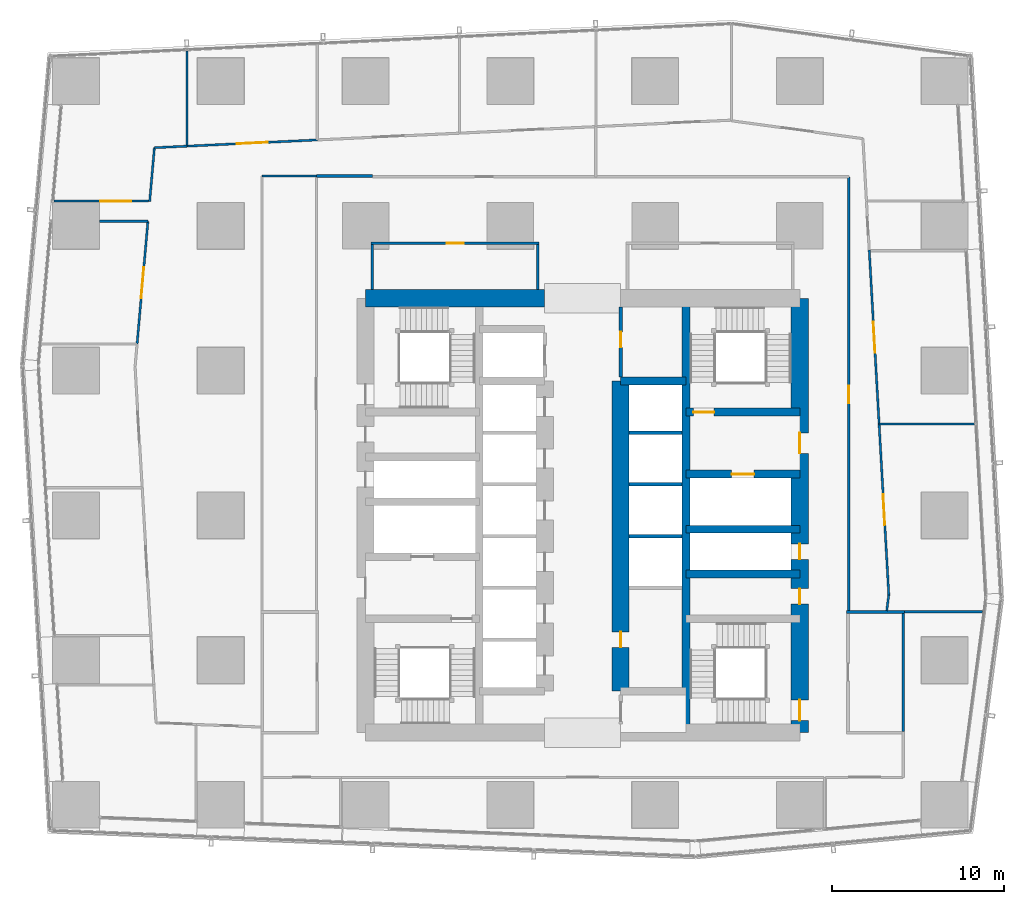
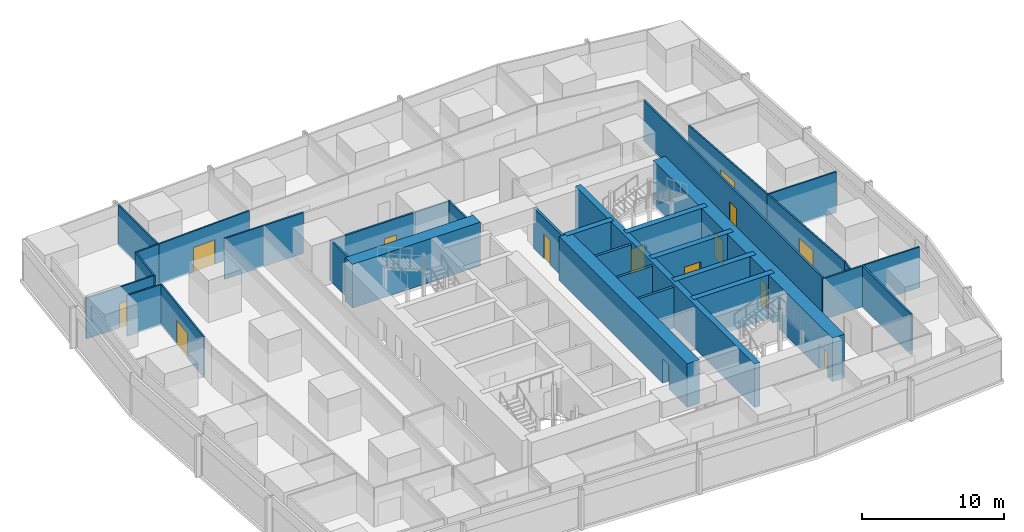
# One storey, part 26 of 36: 33 walls, 15 doors, 15 openings.
"""IFC4 building model written with IfcOpenShell, lengths in metres."""

from ifc_helpers import new_model, si_unit, direction, frame, frame_2d, origin, place, context, subcontext, project, spatial, rectangle, extrude, material, layer, layer_set, type_object, element, fill, save


model = new_model("IFC4")

# Units and contexts
model_context = context("Model", 3, precision=1e-05, world=origin(), true_north=direction((0.0, 1.0)))
body_context = subcontext(model_context, "Body", "Model", "MODEL_VIEW")
ifc_project = project(units=[si_unit("LENGTHUNIT", "METRE"), si_unit("AREAUNIT", "SQUARE_METRE"), si_unit("VOLUMEUNIT", "CUBIC_METRE"), si_unit("PLANEANGLEUNIT", "RADIAN"), si_unit("MASSUNIT", "GRAM", prefix="KILO")], contexts=[model_context])

# Site, building, storey
site_placement = place(None, origin())
site = spatial("IfcSite", under=ifc_project, at=site_placement, CompositionType="ELEMENT")
building_placement = place(site_placement, origin())
building = spatial("IfcBuilding", under=site, at=building_placement, Name="Rekha Terrace Tower", CompositionType="ELEMENT")
storey_placement = place(building_placement, frame((0.0, 0.0, 172.699951171875)))
storey = spatial("IfcBuildingStorey", under=building, at=storey_placement, Name="L43", CompositionType="ELEMENT", Elevation=172.699951171875)

# Walls
ifc_material_1 = material(Name="Concrete M60", Category="concrete")
ifc_layer_1 = layer(ifc_material_1, 0.449951171875)
ifc_layer_set_1 = layer_set([ifc_layer_1], Name="Concrete M60")
wall_type_1 = type_object("IfcWallType", Name="CI3 450 core internal shear wall", PredefinedType="SHEAR", material=ifc_layer_set_1)
wall_1_placement = place(storey_placement, frame((43.800048828125, 21.0, 0.0), z_axis=(0.0, 0.0, 1.0), x_axis=(0.0, 1.0, 0.0)))
element("IfcWall", 1, at=wall_1_placement, inside=storey, type_object=wall_type_1, Name="Core wall X438 L43", PredefinedType="SHEAR", context=body_context, shape_type="SweptSolid", body=[
    extrude(rectangle(XDim=25.199951171875, YDim=0.449951171875, at=frame_2d((12.60009765625, 0.0))), origin(), (0.0, 0.0, 1.0), 3.75),
])
wall_2_placement = place(storey_placement, frame((40.0, 41.39990234375, 0.0), z_axis=(0.0, 0.0, 1.0), x_axis=(1.0, 0.0, 0.0)))
element("IfcWall", 2, at=wall_2_placement, inside=storey, type_object=wall_type_1, Name="Core wall Y414E L43", PredefinedType="SHEAR", context=body_context, shape_type="SweptSolid", body=[
    extrude(rectangle(XDim=3.800048828125, YDim=0.449951171875, at=frame_2d((1.89990234375, 0.0))), origin(), (0.0, 0.0, 1.0), 3.75),
])
for number, where, z_axis, x_axis, name in (
    (3, (43.800048828125, 30.199951171875, 0.0), (0.0, 0.0, 1.0), (1.0, 0.0, 0.0), "Core wall Y302E L43"),
    (4, (43.800048828125, 32.800048828125, 0.0), (0.0, 0.0, 1.0), (1.0, 0.0, 0.0), "Core wall Y328E L43"),
):
    element("IfcWall", number, at=place(storey_placement, frame(where, z_axis=z_axis, x_axis=x_axis)), inside=storey, type_object=wall_type_1, Name=name, PredefinedType="SHEAR", context=body_context, shape_type="SweptSolid", body=[
        extrude(rectangle(XDim=6.599853515625, YDim=0.449951171875, at=frame_2d((3.2998046875, 0.0))), origin(), (0.0, 0.0, 1.0), 3.75),
    ])

# Wall, opening, door
wall_3_placement = place(storey_placement, frame((43.800048828125, 36.0, 0.0), z_axis=(0.0, 0.0, 1.0), x_axis=(1.0, 0.0, 0.0)))
wall_3 = element("IfcWall", 5, at=wall_3_placement, inside=storey, type_object=wall_type_1, Name="Core wall Y360E L43", PredefinedType="SHEAR", context=body_context, shape_type="SweptSolid", body=[
    extrude(rectangle(XDim=6.599853515625, YDim=0.449951171875, at=frame_2d((3.2998046875, 0.0))), origin(), (0.0, 0.0, 1.0), 3.75),
])
opening_1_placement = place(wall_3_placement, frame((2.64990234375, 0.0, 0.0)))
opening_1 = element("IfcOpeningElement", 6, at=opening_1_placement, cuts=wall_3, Name="Opening LD2", PredefinedType="OPENING", context=body_context, shape_type="SweptSolid", body=[
    extrude(rectangle(XDim=1.300048828125, YDim=2.10009765625, at=frame_2d((0.64990234375, 1.050048828125))), frame((0.0, 0.23486328125, 0.0), z_axis=(0.0, -1.0, 0.0), x_axis=(1.0, 0.0, 0.0)), (0.0, 0.0, 1.0), 0.469970703125),
])
ifc_material_2 = material(Name="Stainless steel sliding landing door", Category="steel")
door_type_1 = type_object("IfcDoorType", Name="LD2 1300x2100 fire lift landing door", OperationType="SLIDING_TO_LEFT", PredefinedType="USERDEFINED", material=ifc_material_2)
door_1_placement = place(opening_1_placement, origin())
door_1 = element("IfcDoor", 7, at=door_1_placement, inside=storey, type_object=door_type_1, Name="Lift FL2 landing door L43", ObjectType="LIFT LANDING DOOR", OperationType="SLIDING_TO_LEFT", OverallHeight=2.10009765625, OverallWidth=1.300048828125, PredefinedType="USERDEFINED", context=body_context, shape_type="SweptSolid", body=[
    extrude(rectangle(XDim=1.300048828125, YDim=2.10009765625, at=frame_2d((0.64990234375, 1.050048828125))), frame((0.0, 0.02490234375, 0.0), z_axis=(0.0, -1.0, 0.0), x_axis=(1.0, 0.0, 0.0)), (0.0, 0.0, 1.0), 0.050048828125),
])
fill(opening_1, door_1)

wall_4_placement = place(storey_placement, frame((43.800048828125, 39.60009765625, 0.0), z_axis=(0.0, 0.0, 1.0), x_axis=(1.0, 0.0, 0.0)))
wall_4 = element("IfcWall", 8, at=wall_4_placement, inside=storey, type_object=wall_type_1, Name="Core wall Y396E L43", PredefinedType="SHEAR", context=body_context, shape_type="SweptSolid", body=[
    extrude(rectangle(XDim=6.599853515625, YDim=0.449951171875, at=frame_2d((3.2998046875, 0.0))), origin(), (0.0, 0.0, 1.0), 3.75),
])
opening_2_placement = place(wall_4_placement, frame((0.425048828125, 0.0, 0.0)))
opening_2 = element("IfcOpeningElement", 9, at=opening_2_placement, cuts=wall_4, Name="Opening D1", PredefinedType="OPENING", context=body_context, shape_type="SweptSolid", body=[
    extrude(rectangle(XDim=1.199951171875, YDim=2.10009765625, at=frame_2d((0.60009765625, 1.050048828125))), frame((0.0, 0.23486328125, 0.0), z_axis=(0.0, -1.0, 0.0), x_axis=(1.0, 0.0, 0.0)), (0.0, 0.0, 1.0), 0.469970703125),
])
ifc_material_3 = material(Name="Steel fire door", Category="steel")
door_type_2 = type_object("IfcDoorType", Name="D1 1200x2100 stair fire door", OperationType="SINGLE_SWING_RIGHT", PredefinedType="DOOR", material=ifc_material_3)
door_2_placement = place(opening_2_placement, origin())
door_2 = element("IfcDoor", 10, at=door_2_placement, inside=storey, type_object=door_type_2, Name="Stair ST2 door L43", OperationType="SINGLE_SWING_RIGHT", OverallHeight=2.10009765625, OverallWidth=1.199951171875, PredefinedType="DOOR", context=body_context, shape_type="SweptSolid", body=[
    extrude(rectangle(XDim=1.199951171875, YDim=2.10009765625, at=frame_2d((0.60009765625, 1.050048828125))), frame((0.0, 0.02490234375, 0.0), z_axis=(0.0, -1.0, 0.0), x_axis=(1.0, 0.0, 0.0)), (0.0, 0.0, 1.0), 0.050048828125),
])
fill(opening_2, door_2)

ifc_layer_2 = layer(ifc_material_1, 1.0)
ifc_layer_set_2 = layer_set([ifc_layer_2], Name="Concrete M60")
wall_type_2 = type_object("IfcWallType", Name="LW3 1000 core lobby wall at an outrigger level", PredefinedType="SHEAR", material=ifc_layer_set_2)
wall_5_placement = place(storey_placement, frame((40.0, 23.39990234375, 0.0), z_axis=(0.0, 0.0, 1.0), x_axis=(0.0, 1.0, 0.0)))
wall_5 = element("IfcWall", 11, at=wall_5_placement, inside=storey, type_object=wall_type_2, Name="Core wall X400 L43", PredefinedType="SHEAR", context=body_context, shape_type="SweptSolid", body=[
    extrude(rectangle(XDim=18.0, YDim=1.0, at=frame_2d((9.0, 0.0))), origin(), (0.0, 0.0, 1.0), 3.75),
])
opening_3_placement = place(wall_5_placement, frame((2.550048828125, 0.0, 0.0)))
opening_3 = element("IfcOpeningElement", 12, at=opening_3_placement, cuts=wall_5, Name="Opening D5", PredefinedType="OPENING", context=body_context, shape_type="SweptSolid", body=[
    extrude(rectangle(XDim=0.89990234375, YDim=2.10009765625, at=frame_2d((0.449951171875, 1.050048828125))), frame((0.0, 0.510009765625, 0.0), z_axis=(0.0, -1.0, 0.0), x_axis=(1.0, 0.0, 0.0)), (0.0, 0.0, 1.0), 1.02001953125),
])
door_type_3 = type_object("IfcDoorType", Name="D5 900x2100 riser access door", OperationType="SINGLE_SWING_LEFT", PredefinedType="DOOR", material=ifc_material_3)
door_3_placement = place(opening_3_placement, origin())
door_3 = element("IfcDoor", 13, at=door_3_placement, inside=storey, type_object=door_type_3, Name="Door back-of-house store L43", OperationType="SINGLE_SWING_LEFT", OverallHeight=2.10009765625, OverallWidth=0.89990234375, PredefinedType="DOOR", context=body_context, shape_type="SweptSolid", body=[
    extrude(rectangle(XDim=0.89990234375, YDim=2.10009765625, at=frame_2d((0.449951171875, 1.050048828125))), frame((0.0, 0.02490234375, 0.0), z_axis=(0.0, -1.0, 0.0), x_axis=(1.0, 0.0, 0.0)), (0.0, 0.0, 1.0), 0.050048828125),
])
fill(opening_3, door_3)

# Wall
ifc_layer_3 = layer(ifc_material_1, 1.0)
ifc_layer_set_3 = layer_set([ifc_layer_3], Name="Concrete M60")
wall_type_3 = type_object("IfcWallType", Name="SW3 1000 core outer shear wall", PredefinedType="SHEAR", material=ifc_layer_set_3)
wall_6_placement = place(storey_placement, frame((25.199951171875, 46.199951171875, 0.0), z_axis=(0.0, 0.0, 1.0), x_axis=(1.0, 0.0, 0.0)))
element("IfcWall", 14, at=wall_6_placement, inside=storey, type_object=wall_type_3, Name="Core wall N1 L43", PredefinedType="SHEAR", context=body_context, shape_type="SweptSolid", body=[
    extrude(rectangle(XDim=10.400146484375, YDim=1.0, at=frame_2d((5.2001953125, 0.0))), origin(), (0.0, 0.0, 1.0), 3.75),
])

# Wall, openings, doors
wall_7_placement = place(storey_placement, frame((50.39990234375, 21.0, 0.0), z_axis=(0.0, 0.0, 1.0), x_axis=(0.0, 1.0, 0.0)))
wall_7 = element("IfcWall", 15, at=wall_7_placement, inside=storey, type_object=wall_type_3, Name="Core wall E L43", PredefinedType="SHEAR", context=body_context, shape_type="SweptSolid", body=[
    extrude(rectangle(XDim=25.199951171875, YDim=1.0, at=frame_2d((12.60009765625, 0.0))), origin(), (0.0, 0.0, 1.0), 3.75),
])
opening_4_placement = place(wall_7_placement, frame((16.199951171875, 0.0, 0.0)))
opening_4 = element("IfcOpeningElement", 16, at=opening_4_placement, cuts=wall_7, Name="Opening D2", PredefinedType="OPENING", context=body_context, shape_type="SweptSolid", body=[
    extrude(rectangle(XDim=1.199951171875, YDim=2.10009765625, at=frame_2d((0.60009765625, 1.050048828125))), frame((0.0, 0.510009765625, 0.0), z_axis=(0.0, -1.0, 0.0), x_axis=(1.0, 0.0, 0.0)), (0.0, 0.0, 1.0), 1.02001953125),
])
opening_5_placement = place(wall_7_placement, frame((10.050048828125, 0.0, 0.0)))
opening_5 = element("IfcOpeningElement", 17, at=opening_5_placement, cuts=wall_7, Name="Opening D5", PredefinedType="OPENING", context=body_context, shape_type="SweptSolid", body=[
    extrude(rectangle(XDim=0.89990234375, YDim=2.10009765625, at=frame_2d((0.449951171875, 1.050048828125))), frame((0.0, 0.510009765625, 0.0), z_axis=(0.0, -1.0, 0.0), x_axis=(1.0, 0.0, 0.0)), (0.0, 0.0, 1.0), 1.02001953125),
])
opening_6_placement = place(wall_7_placement, frame((7.449951171875, 0.0, 0.0)))
opening_6 = element("IfcOpeningElement", 18, at=opening_6_placement, cuts=wall_7, Name="Opening D5", PredefinedType="OPENING", context=body_context, shape_type="SweptSolid", body=[
    extrude(rectangle(XDim=0.89990234375, YDim=2.10009765625, at=frame_2d((0.449951171875, 1.050048828125))), frame((0.0, 0.510009765625, 0.0), z_axis=(0.0, -1.0, 0.0), x_axis=(1.0, 0.0, 0.0)), (0.0, 0.0, 1.0), 1.02001953125),
])
opening_7_placement = place(wall_7_placement, frame((0.699951171875, 0.0, 0.0)))
opening_7 = element("IfcOpeningElement", 19, at=opening_7_placement, cuts=wall_7, Name="Opening D1", PredefinedType="OPENING", context=body_context, shape_type="SweptSolid", body=[
    extrude(rectangle(XDim=1.199951171875, YDim=2.10009765625, at=frame_2d((0.60009765625, 1.050048828125))), frame((0.0, 0.510009765625, 0.0), z_axis=(0.0, -1.0, 0.0), x_axis=(1.0, 0.0, 0.0)), (0.0, 0.0, 1.0), 1.02001953125),
])
door_4_placement = place(opening_7_placement, origin())
door_4 = element("IfcDoor", 20, at=door_4_placement, inside=storey, type_object=door_type_2, Name="Stair ST3 door L43", OperationType="SINGLE_SWING_RIGHT", OverallHeight=2.10009765625, OverallWidth=1.199951171875, PredefinedType="DOOR", context=body_context, shape_type="SweptSolid", body=[
    extrude(rectangle(XDim=1.199951171875, YDim=2.10009765625, at=frame_2d((0.60009765625, 1.050048828125))), frame((0.0, 0.02490234375, 0.0), z_axis=(0.0, -1.0, 0.0), x_axis=(1.0, 0.0, 0.0)), (0.0, 0.0, 1.0), 0.050048828125),
])
fill(opening_7, door_4)
door_type_4 = type_object("IfcDoorType", Name="D2 1200x2100 firefighting lobby door", OperationType="SINGLE_SWING_LEFT", PredefinedType="DOOR", material=ifc_material_3)
door_5_placement = place(opening_4_placement, origin())
door_5 = element("IfcDoor", 21, at=door_5_placement, inside=storey, type_object=door_type_4, Name="Door flb2 L43", OperationType="SINGLE_SWING_LEFT", OverallHeight=2.10009765625, OverallWidth=1.199951171875, PredefinedType="DOOR", context=body_context, shape_type="SweptSolid", body=[
    extrude(rectangle(XDim=1.199951171875, YDim=2.10009765625, at=frame_2d((0.60009765625, 1.050048828125))), frame((0.0, 0.02490234375, 0.0), z_axis=(0.0, -1.0, 0.0), x_axis=(1.0, 0.0, 0.0)), (0.0, 0.0, 1.0), 0.050048828125),
])
fill(opening_4, door_5)
door_6_placement = place(opening_5_placement, origin())
door_6 = element("IfcDoor", 22, at=door_6_placement, inside=storey, type_object=door_type_3, Name="Door rs2 L43", OperationType="SINGLE_SWING_LEFT", OverallHeight=2.10009765625, OverallWidth=0.89990234375, PredefinedType="DOOR", context=body_context, shape_type="SweptSolid", body=[
    extrude(rectangle(XDim=0.89990234375, YDim=2.10009765625, at=frame_2d((0.449951171875, 1.050048828125))), frame((0.0, 0.02490234375, 0.0), z_axis=(0.0, -1.0, 0.0), x_axis=(1.0, 0.0, 0.0)), (0.0, 0.0, 1.0), 0.050048828125),
])
fill(opening_5, door_6)
door_7_placement = place(opening_6_placement, origin())
door_7 = element("IfcDoor", 23, at=door_7_placement, inside=storey, type_object=door_type_3, Name="Door ele L43", OperationType="SINGLE_SWING_LEFT", OverallHeight=2.10009765625, OverallWidth=0.89990234375, PredefinedType="DOOR", context=body_context, shape_type="SweptSolid", body=[
    extrude(rectangle(XDim=0.89990234375, YDim=2.10009765625, at=frame_2d((0.449951171875, 1.050048828125))), frame((0.0, 0.02490234375, 0.0), z_axis=(0.0, -1.0, 0.0), x_axis=(1.0, 0.0, 0.0)), (0.0, 0.0, 1.0), 0.050048828125),
])
fill(opening_6, door_7)

# Wall, opening, door
ifc_material_4 = material(Name="Concrete block masonry, 1 hour", Category="masonry")
ifc_layer_4 = layer(ifc_material_4, 0.14990234375)
ifc_layer_set_4 = layer_set([ifc_layer_4], Name="Concrete block masonry, 1 hour")
wall_type_4 = type_object("IfcWallType", Name="WP2 150 tenancy partition", PredefinedType="PARTITIONING", material=ifc_layer_set_4)
wall_8_placement = place(storey_placement, frame((25.52490234375, 49.39990234375, 0.0), z_axis=(0.0, 0.0, 1.0), x_axis=(1.0, 0.0, 0.0)))
wall_8 = element("IfcWall", 24, at=wall_8_placement, inside=storey, type_object=wall_type_4, Name="Women's WC wall L43", PredefinedType="PARTITIONING", context=body_context, shape_type="SweptSolid", body=[
    extrude(rectangle(XDim=9.75, YDim=0.14990234375, at=frame_2d((4.875, 0.0))), origin(), (0.0, 0.0, 1.0), 3.5),
])
opening_8_placement = place(wall_8_placement, frame((4.375, 0.0, 0.0)))
opening_8 = element("IfcOpeningElement", 25, at=opening_8_placement, cuts=wall_8, Name="Opening D3", PredefinedType="OPENING", context=body_context, shape_type="SweptSolid", body=[
    extrude(rectangle(XDim=1.0, YDim=2.10009765625, at=frame_2d((0.5, 1.050048828125))), frame((0.0, 0.0849609375, 0.0), z_axis=(0.0, -1.0, 0.0), x_axis=(1.0, 0.0, 0.0)), (0.0, 0.0, 1.0), 0.169921875),
])
ifc_material_5 = material(Name="Laminated timber fire door", Category="wood")
door_type_5 = type_object("IfcDoorType", Name="D3 1000x2100 WC door", OperationType="SINGLE_SWING_LEFT", PredefinedType="DOOR", material=ifc_material_5)
door_8_placement = place(opening_8_placement, origin())
door_8 = element("IfcDoor", 26, at=door_8_placement, inside=storey, type_object=door_type_5, Name="Door women's wc L43", OperationType="SINGLE_SWING_LEFT", OverallHeight=2.10009765625, OverallWidth=1.0, PredefinedType="DOOR", context=body_context, shape_type="SweptSolid", body=[
    extrude(rectangle(XDim=1.0, YDim=2.10009765625, at=frame_2d((0.5, 1.050048828125))), frame((0.0, 0.02490234375, 0.0), z_axis=(0.0, -1.0, 0.0), x_axis=(1.0, 0.0, 0.0)), (0.0, 0.0, 1.0), 0.050048828125),
])
fill(opening_8, door_8)

# Walls
for number, where, z_axis, x_axis, name in (
    (27, (25.60009765625, 46.699951171875, 0.0), (0.0, 0.0, 1.0), (0.0, 1.0, 0.0), "Women's WC wall L43"),
    (28, (35.199951171875, 46.699951171875, 0.0), (0.0, 0.0, 1.0), (0.0, 1.0, 0.0), "Women's WC wall L43"),
):
    element("IfcWall", number, at=place(storey_placement, frame(where, z_axis=z_axis, x_axis=x_axis)), inside=storey, type_object=wall_type_4, Name=name, PredefinedType="PARTITIONING", context=body_context, shape_type="SweptSolid", body=[
        extrude(rectangle(XDim=2.625, YDim=0.14990234375, at=frame_2d((1.3125, 0.0))), origin(), (0.0, 0.0, 1.0), 3.5),
    ])
wall_9_placement = place(storey_placement, frame((53.125, 28.0, 0.0), z_axis=(0.0, 0.0, 1.0), x_axis=(1.0, 0.0, 0.0)))
element("IfcWall", 29, at=wall_9_placement, inside=storey, type_object=wall_type_4, Name="Men's WC wall L43", PredefinedType="PARTITIONING", context=body_context, shape_type="SweptSolid", body=[
    extrude(rectangle(XDim=3.35009765625, YDim=0.14990234375, at=frame_2d((1.675048828125, 0.0))), origin(), (0.0, 0.0, 1.0), 3.5),
])
wall_10_placement = place(storey_placement, frame((56.39990234375, 21.074951171875, 0.0), z_axis=(0.0, 0.0, 1.0), x_axis=(0.0, 1.0, 0.0)))
element("IfcWall", 30, at=wall_10_placement, inside=storey, type_object=wall_type_4, Name="Men's WC wall L43", PredefinedType="PARTITIONING", context=body_context, shape_type="SweptSolid", body=[
    extrude(rectangle(XDim=6.85009765625, YDim=0.14990234375, at=frame_2d((3.425048828125, 0.0))), origin(), (0.0, 0.0, 1.0), 3.5),
])

# Wall, opening, door
wall_11_placement = place(storey_placement, frame((53.25, 28.074951171875, 0.0), z_axis=(0.0, 0.0, 1.0), x_axis=(0.0, 1.0, 0.0)))
wall_11 = element("IfcWall", 31, at=wall_11_placement, inside=storey, type_object=wall_type_4, Name="Partition L43-O1", PredefinedType="PARTITIONING", context=body_context, shape_type="SweptSolid", body=[
    extrude(rectangle(XDim=25.175048828125, YDim=0.14990234375, at=frame_2d((12.58740234375, 0.0))), origin(), (0.0, 0.0, 1.0), 3.5),
])
opening_9_placement = place(wall_11_placement, frame((12.050048828125, 0.0, 0.0)))
opening_9 = element("IfcOpeningElement", 32, at=opening_9_placement, cuts=wall_11, Name="Opening D9", PredefinedType="OPENING", context=body_context, shape_type="SweptSolid", body=[
    extrude(rectangle(XDim=1.0, YDim=2.10009765625, at=frame_2d((0.5, 1.050048828125))), frame((0.0, 0.0849609375, 0.0), z_axis=(0.0, -1.0, 0.0), x_axis=(1.0, 0.0, 0.0)), (0.0, 0.0, 1.0), 0.169921875),
])
ifc_material_6 = material(Name="Timber fire door", Category="wood")
door_type_6 = type_object("IfcDoorType", Name="D9 1000x2100 office door", OperationType="SINGLE_SWING_LEFT", PredefinedType="DOOR", material=ifc_material_6)
door_9_placement = place(opening_9_placement, origin())
door_9 = element("IfcDoor", 33, at=door_9_placement, inside=storey, type_object=door_type_6, Name="Door open-plan office L43", OperationType="SINGLE_SWING_LEFT", OverallHeight=2.10009765625, OverallWidth=1.0, PredefinedType="DOOR", context=body_context, shape_type="SweptSolid", body=[
    extrude(rectangle(XDim=1.0, YDim=2.10009765625, at=frame_2d((0.5, 1.050048828125))), frame((0.0, 0.02490234375, 0.0), z_axis=(0.0, -1.0, 0.0), x_axis=(1.0, 0.0, 0.0)), (0.0, 0.0, 1.0), 0.050048828125),
])
fill(opening_9, door_9)

# Walls
wall_12_placement = place(storey_placement, frame((25.60009765625, 53.300048828125, 0.0), z_axis=(0.0, 0.0, 1.0), x_axis=(-1.0, 0.0, 0.0)))
element("IfcWall", 34, at=wall_12_placement, inside=storey, type_object=wall_type_4, Name="Partition L43-O1b", PredefinedType="PARTITIONING", context=body_context, shape_type="SweptSolid", body=[
    extrude(rectangle(XDim=3.25, YDim=0.14990234375, at=frame_2d((1.625, 0.0))), origin(), (0.0, 0.0, 1.0), 3.5),
])
ifc_material_7 = material(Name="Two layers of fire-rated gypsum board each side on steel studs, acoustic quilt, 1 hour", Category="steel")
ifc_layer_5 = layer(ifc_material_7, 0.125)
ifc_layer_set_5 = layer_set([ifc_layer_5], Name="Two layers of fire-rated gypsum board each side on steel studs, acoustic quilt, 1 hour")
wall_type_5 = type_object("IfcWallType", Name="WP3 125 office partition", PredefinedType="PARTITIONING", material=ifc_layer_set_5)
wall_13_placement = place(storey_placement, frame((56.47607421875, 28.012939453125, 0.0), z_axis=(0.0, 0.0, 1.0), x_axis=(1.0, 0.0, 0.0)))
element("IfcWall", 35, at=wall_13_placement, inside=storey, type_object=wall_type_5, Name="Partition L43-03", PredefinedType="PARTITIONING", context=body_context, shape_type="SweptSolid", body=[
    extrude(rectangle(XDim=4.52783203125, YDim=0.125, at=frame_2d((2.263916015625, 0.0))), origin(), (0.0, 0.0, 1.0), 3.5),
])
wall_14_placement = place(storey_placement, frame((55.0029296875, 38.902099609375, 0.0), z_axis=(0.0, 0.0, 1.0), x_axis=(1.0, 0.0, 0.0)))
element("IfcWall", 36, at=wall_14_placement, inside=storey, type_object=wall_type_5, Name="Partition L43-04", PredefinedType="PARTITIONING", context=body_context, shape_type="SweptSolid", body=[
    extrude(rectangle(XDim=5.528076171875, YDim=0.125, at=frame_2d((2.76416015625, 0.0))), origin(), (0.0, 0.0, 1.0), 3.5),
])
wall_15_placement = place(storey_placement, frame((55.444091796875, 28.074951171875, 0.0), z_axis=(0.0, 0.0, 1.0), x_axis=(0.130796265387, 0.991409268144, 0.0)))
element("IfcWall", 37, at=wall_15_placement, inside=storey, type_object=wall_type_5, Name="Partition L43-04", PredefinedType="PARTITIONING", context=body_context, shape_type="SweptSolid", body=[
    extrude(rectangle(XDim=0.924072265625, YDim=0.125, at=frame_2d((0.4619140625, 0.0))), origin(), (0.0, 0.0, 1.0), 3.5),
])

# Wall, opening, door
wall_16_placement = place(storey_placement, frame((55.56494140625, 28.990966796875, 0.0), z_axis=(0.0, 0.0, 1.0), x_axis=(-0.056614146669, 0.998396133004, 0.0)))
wall_16 = element("IfcWall", 38, at=wall_16_placement, inside=storey, type_object=wall_type_5, Name="Partition L43-04", PredefinedType="PARTITIONING", context=body_context, shape_type="SweptSolid", body=[
    extrude(rectangle(XDim=9.927001953125, YDim=0.125, at=frame_2d((4.96337890625, 0.0))), origin(), (0.0, 0.0, 1.0), 3.5),
])
opening_10_placement = place(wall_16_placement, frame((4.06298828125, 0.0, 0.0)))
opening_10 = element("IfcOpeningElement", 39, at=opening_10_placement, cuts=wall_16, Name="Opening D8", PredefinedType="OPENING", context=body_context, shape_type="SweptSolid", body=[
    extrude(rectangle(XDim=1.800048828125, YDim=2.10009765625, at=frame_2d((0.89990234375, 1.050048828125))), frame((0.0, 0.072509765625, 0.0), z_axis=(0.0, -1.0, 0.0), x_axis=(1.0, 0.0, 0.0)), (0.0, 0.0, 1.0), 0.14501953125),
])
door_type_7 = type_object("IfcDoorType", Name="D8 1800x2100 double leaf door", OperationType="DOUBLE_DOOR_SINGLE_SWING", PredefinedType="DOOR", material=ifc_material_6)
door_10_placement = place(opening_10_placement, origin())
door_10 = element("IfcDoor", 40, at=door_10_placement, inside=storey, type_object=door_type_7, Name="Door club lounge L43", OperationType="DOUBLE_DOOR_SINGLE_SWING", OverallHeight=2.10009765625, OverallWidth=1.800048828125, PredefinedType="DOOR", context=body_context, shape_type="SweptSolid", body=[
    extrude(rectangle(XDim=1.800048828125, YDim=2.10009765625, at=frame_2d((0.89990234375, 1.050048828125))), frame((0.0, 0.02490234375, 0.0), z_axis=(0.0, -1.0, 0.0), x_axis=(1.0, 0.0, 0.0)), (0.0, 0.0, 1.0), 0.050048828125),
])
fill(opening_10, door_10)

wall_17_placement = place(storey_placement, frame((55.0029296875, 38.903076171875, 0.0), z_axis=(0.0, 0.0, 1.0), x_axis=(-0.056703702353, 0.998391050711, 0.0)))
wall_17 = element("IfcWall", 41, at=wall_17_placement, inside=storey, type_object=wall_type_5, Name="Partition L43-05", PredefinedType="PARTITIONING", context=body_context, shape_type="SweptSolid", body=[
    extrude(rectangle(XDim=10.105224609375, YDim=0.125, at=frame_2d((5.052734375, 0.0))), origin(), (0.0, 0.0, 1.0), 3.5),
])
opening_11_placement = place(wall_17_placement, frame((4.153076171875, 0.0, 0.0)))
opening_11 = element("IfcOpeningElement", 42, at=opening_11_placement, cuts=wall_17, Name="Opening D8", PredefinedType="OPENING", context=body_context, shape_type="SweptSolid", body=[
    extrude(rectangle(XDim=1.800048828125, YDim=2.10009765625, at=frame_2d((0.89990234375, 1.050048828125))), frame((0.0, 0.072509765625, 0.0), z_axis=(0.0, -1.0, 0.0), x_axis=(1.0, 0.0, 0.0)), (0.0, 0.0, 1.0), 0.14501953125),
])
door_11_placement = place(opening_11_placement, origin())
door_11 = element("IfcDoor", 43, at=door_11_placement, inside=storey, type_object=door_type_7, Name="Door club lounge L43", OperationType="DOUBLE_DOOR_SINGLE_SWING", OverallHeight=2.10009765625, OverallWidth=1.800048828125, PredefinedType="DOOR", context=body_context, shape_type="SweptSolid", body=[
    extrude(rectangle(XDim=1.800048828125, YDim=2.10009765625, at=frame_2d((0.89990234375, 1.050048828125))), frame((0.0, 0.02490234375, 0.0), z_axis=(0.0, -1.0, 0.0), x_axis=(1.0, 0.0, 0.0)), (0.0, 0.0, 1.0), 0.050048828125),
])
fill(opening_11, door_11)

wall_18_placement = place(storey_placement, frame((22.39990234375, 55.39208984375, 0.0), z_axis=(0.0, 0.0, 1.0), x_axis=(-0.998854223515, -0.047856453768, 0.0)))
wall_18 = element("IfcWall", 44, at=wall_18_placement, inside=storey, type_object=wall_type_5, Name="Partition L43-11", PredefinedType="PARTITIONING", context=body_context, shape_type="SweptSolid", body=[
    extrude(rectangle(XDim=7.565673828125, YDim=0.125, at=frame_2d((3.78271484375, 0.0))), origin(), (0.0, 0.0, 1.0), 3.5),
])
opening_12_placement = place(wall_18_placement, frame((2.883056640625, 0.0, 0.0)))
opening_12 = element("IfcOpeningElement", 45, at=opening_12_placement, cuts=wall_18, Name="Opening D8", PredefinedType="OPENING", context=body_context, shape_type="SweptSolid", body=[
    extrude(rectangle(XDim=1.800048828125, YDim=2.10009765625, at=frame_2d((0.89990234375, 1.050048828125))), frame((0.0, 0.072509765625, 0.0), z_axis=(0.0, -1.0, 0.0), x_axis=(1.0, 0.0, 0.0)), (0.0, 0.0, 1.0), 0.14501953125),
])
door_12_placement = place(opening_12_placement, origin())
door_12 = element("IfcDoor", 46, at=door_12_placement, inside=storey, type_object=door_type_7, Name="Door club lounge L43", OperationType="DOUBLE_DOOR_SINGLE_SWING", OverallHeight=2.10009765625, OverallWidth=1.800048828125, PredefinedType="DOOR", context=body_context, shape_type="SweptSolid", body=[
    extrude(rectangle(XDim=1.800048828125, YDim=2.10009765625, at=frame_2d((0.89990234375, 1.050048828125))), frame((0.0, 0.02490234375, 0.0), z_axis=(0.0, -1.0, 0.0), x_axis=(1.0, 0.0, 0.0)), (0.0, 0.0, 1.0), 0.050048828125),
])
fill(opening_12, door_12)

# Wall
wall_19_placement = place(storey_placement, frame((14.843017578125, 55.030029296875, 0.0), z_axis=(0.0, 0.0, 1.0), x_axis=(0.0, 1.0, 0.0)))
element("IfcWall", 47, at=wall_19_placement, inside=storey, type_object=wall_type_5, Name="Partition L43-11", PredefinedType="PARTITIONING", context=body_context, shape_type="SweptSolid", body=[
    extrude(rectangle(XDim=5.52685546875, YDim=0.125, at=frame_2d((2.763427734375, 0.0))), origin(), (0.0, 0.0, 1.0), 3.5),
])

# Wall, opening, door
wall_20_placement = place(storey_placement, frame((12.613037109375, 51.843017578125, 0.0), z_axis=(0.0, 0.0, 1.0), x_axis=(-1.0, 0.0, 0.0)))
wall_20 = element("IfcWall", 48, at=wall_20_placement, inside=storey, type_object=wall_type_5, Name="Partition L43-12", PredefinedType="PARTITIONING", context=body_context, shape_type="SweptSolid", body=[
    extrude(rectangle(XDim=5.47802734375, YDim=0.125, at=frame_2d((2.739013671875, 0.0))), origin(), (0.0, 0.0, 1.0), 3.5),
])
opening_13_placement = place(wall_20_placement, frame((1.009033203125, 0.0, 0.0)))
opening_13 = element("IfcOpeningElement", 49, at=opening_13_placement, cuts=wall_20, Name="Opening D8", PredefinedType="OPENING", context=body_context, shape_type="SweptSolid", body=[
    extrude(rectangle(XDim=1.800048828125, YDim=2.10009765625, at=frame_2d((0.89990234375, 1.050048828125))), frame((0.0, 0.072509765625, 0.0), z_axis=(0.0, -1.0, 0.0), x_axis=(1.0, 0.0, 0.0)), (0.0, 0.0, 1.0), 0.14501953125),
])
door_13_placement = place(opening_13_placement, origin())
door_13 = element("IfcDoor", 50, at=door_13_placement, inside=storey, type_object=door_type_7, Name="Door club lounge L43", OperationType="DOUBLE_DOOR_SINGLE_SWING", OverallHeight=2.10009765625, OverallWidth=1.800048828125, PredefinedType="DOOR", context=body_context, shape_type="SweptSolid", body=[
    extrude(rectangle(XDim=1.800048828125, YDim=2.10009765625, at=frame_2d((0.89990234375, 1.050048828125))), frame((0.0, 0.02490234375, 0.0), z_axis=(0.0, -1.0, 0.0), x_axis=(1.0, 0.0, 0.0)), (0.0, 0.0, 1.0), 0.050048828125),
])
fill(opening_13, door_13)

# Walls
wall_21_placement = place(storey_placement, frame((14.842041015625, 55.030029296875, 0.0), z_axis=(0.0, 0.0, 1.0), x_axis=(-0.998868429304, -0.04755902586, 0.0)))
element("IfcWall", 51, at=wall_21_placement, inside=storey, type_object=wall_type_5, Name="Partition L43-12", PredefinedType="PARTITIONING", context=body_context, shape_type="SweptSolid", body=[
    extrude(rectangle(XDim=1.894287109375, YDim=0.125, at=frame_2d((0.947265625, 0.0))), origin(), (0.0, 0.0, 1.0), 3.5),
])
wall_22_placement = place(storey_placement, frame((12.949951171875, 54.93994140625, 0.0), z_axis=(0.0, 0.0, 1.0), x_axis=(-0.088138787715, -0.996108204012, 0.0)))
element("IfcWall", 52, at=wall_22_placement, inside=storey, type_object=wall_type_5, Name="Partition L43-12", PredefinedType="PARTITIONING", context=body_context, shape_type="SweptSolid", body=[
    extrude(rectangle(XDim=3.14111328125, YDim=0.125, at=frame_2d((1.570556640625, 0.0))), origin(), (0.0, 0.0, 1.0), 3.5),
])
wall_23_placement = place(storey_placement, frame((9.77001953125, 50.672119140625, 0.0), z_axis=(0.0, 0.0, 1.0), x_axis=(1.0, 0.0, 0.0)))
element("IfcWall", 53, at=wall_23_placement, inside=storey, type_object=wall_type_5, Name="Partition L43-13", PredefinedType="PARTITIONING", context=body_context, shape_type="SweptSolid", body=[
    extrude(rectangle(XDim=2.802978515625, YDim=0.125, at=frame_2d((1.4013671875, 0.0))), origin(), (0.0, 0.0, 1.0), 3.5),
])

# Wall, opening, door
wall_24_placement = place(storey_placement, frame((12.572998046875, 50.672119140625, 0.0), z_axis=(0.0, 0.0, 1.0), x_axis=(-0.087986371685, -0.99612167851, 0.0)))
wall_24 = element("IfcWall", 54, at=wall_24_placement, inside=storey, type_object=wall_type_5, Name="Partition L43-13", PredefinedType="PARTITIONING", context=body_context, shape_type="SweptSolid", body=[
    extrude(rectangle(XDim=7.158935546875, YDim=0.125, at=frame_2d((3.57958984375, 0.0))), origin(), (0.0, 0.0, 1.0), 3.5),
])
opening_14_placement = place(wall_24_placement, frame((2.678955078125, 0.0, 0.0)))
opening_14 = element("IfcOpeningElement", 55, at=opening_14_placement, cuts=wall_24, Name="Opening D8", PredefinedType="OPENING", context=body_context, shape_type="SweptSolid", body=[
    extrude(rectangle(XDim=1.800048828125, YDim=2.10009765625, at=frame_2d((0.89990234375, 1.050048828125))), frame((0.0, 0.072509765625, 0.0), z_axis=(0.0, -1.0, 0.0), x_axis=(1.0, 0.0, 0.0)), (0.0, 0.0, 1.0), 0.14501953125),
])
door_14_placement = place(opening_14_placement, origin())
door_14 = element("IfcDoor", 56, at=door_14_placement, inside=storey, type_object=door_type_7, Name="Door quiet room L43", OperationType="DOUBLE_DOOR_SINGLE_SWING", OverallHeight=2.10009765625, OverallWidth=1.800048828125, PredefinedType="DOOR", context=body_context, shape_type="SweptSolid", body=[
    extrude(rectangle(XDim=1.800048828125, YDim=2.10009765625, at=frame_2d((0.89990234375, 1.050048828125))), frame((0.0, 0.02490234375, 0.0), z_axis=(0.0, -1.0, 0.0), x_axis=(1.0, 0.0, 0.0)), (0.0, 0.0, 1.0), 0.050048828125),
])
fill(opening_14, door_14)

# Walls
wall_25_placement = place(storey_placement, frame((19.199951171875, 53.300048828125, 0.0), z_axis=(0.0, 0.0, 1.0), x_axis=(1.0, 0.0, 0.0)))
element("IfcWall", 57, at=wall_25_placement, inside=storey, type_object=wall_type_5, Name="Partition L43-20", PredefinedType="PARTITIONING", context=body_context, shape_type="SweptSolid", body=[
    extrude(rectangle(XDim=3.150146484375, YDim=0.125, at=frame_2d((1.5751953125, 0.0))), origin(), (0.0, 0.0, 1.0), 3.5),
])
ifc_material_8 = material(Name="Solid concrete block masonry, 2 hour", Category="masonry")
ifc_layer_6 = layer(ifc_material_8, 0.199951171875)
ifc_layer_set_6 = layer_set([ifc_layer_6], Name="Solid concrete block masonry, 2 hour")
wall_type_6 = type_object("IfcWallType", Name="WS1 200 stair and shaft enclosure", PredefinedType="PARTITIONING", material=ifc_layer_set_6)
for number, where, z_axis, x_axis, name in (
    (58, (40.5, 32.39990234375, 0.0), (0.0, 0.0, 1.0), (1.0, 0.0, 0.0), "Lift shaft divider L43"),
    (59, (40.5, 35.39990234375, 0.0), (0.0, 0.0, 1.0), (1.0, 0.0, 0.0), "Lift shaft divider L43"),
    (60, (40.5, 38.39990234375, 0.0), (0.0, 0.0, 1.0), (1.0, 0.0, 0.0), "Lift shaft divider L43"),
):
    element("IfcWall", number, at=place(storey_placement, frame(where, z_axis=z_axis, x_axis=x_axis)), inside=storey, type_object=wall_type_6, Name=name, PredefinedType="PARTITIONING", context=body_context, shape_type="SweptSolid", body=[
        extrude(rectangle(XDim=3.074951171875, YDim=0.199951171875, at=frame_2d((1.53759765625, 0.0))), origin(), (0.0, 0.0, 1.0), 3.5),
    ])

# Wall, opening, door
wall_26_placement = place(storey_placement, frame((40.0, 41.625, 0.0), z_axis=(0.0, 0.0, 1.0), x_axis=(0.0, 1.0, 0.0)))
wall_26 = element("IfcWall", 61, at=wall_26_placement, inside=storey, type_object=wall_type_6, Name="Core partition elec L43", PredefinedType="PARTITIONING", context=body_context, shape_type="SweptSolid", body=[
    extrude(rectangle(XDim=4.074951171875, YDim=0.199951171875, at=frame_2d((2.03759765625, 0.0))), origin(), (0.0, 0.0, 1.0), 3.5),
])
opening_15_placement = place(wall_26_placement, frame((1.72509765625, 0.0, 0.0)))
opening_15 = element("IfcOpeningElement", 62, at=opening_15_placement, cuts=wall_26, Name="Opening D5", PredefinedType="OPENING", context=body_context, shape_type="SweptSolid", body=[
    extrude(rectangle(XDim=0.89990234375, YDim=2.10009765625, at=frame_2d((0.449951171875, 1.050048828125))), frame((0.0, 0.10986328125, 0.0), z_axis=(0.0, -1.0, 0.0), x_axis=(1.0, 0.0, 0.0)), (0.0, 0.0, 1.0), 0.219970703125),
])
door_15_placement = place(opening_15_placement, origin())
door_15 = element("IfcDoor", 63, at=door_15_placement, inside=storey, type_object=door_type_3, Name="Door electrical room L43", OperationType="SINGLE_SWING_LEFT", OverallHeight=2.10009765625, OverallWidth=0.89990234375, PredefinedType="DOOR", context=body_context, shape_type="SweptSolid", body=[
    extrude(rectangle(XDim=0.89990234375, YDim=2.10009765625, at=frame_2d((0.449951171875, 1.050048828125))), frame((0.0, 0.02490234375, 0.0), z_axis=(0.0, -1.0, 0.0), x_axis=(1.0, 0.0, 0.0)), (0.0, 0.0, 1.0), 0.050048828125),
])
fill(opening_15, door_15)

save(model, "model.ifc")
